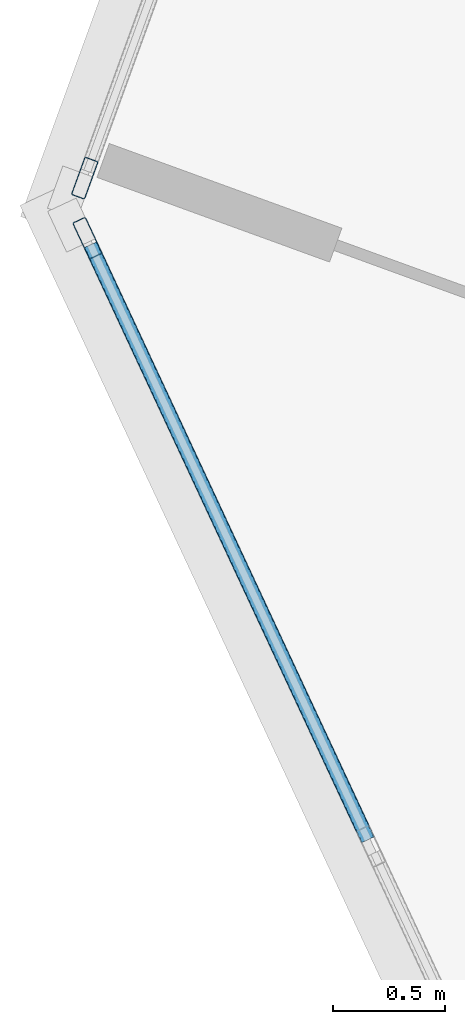
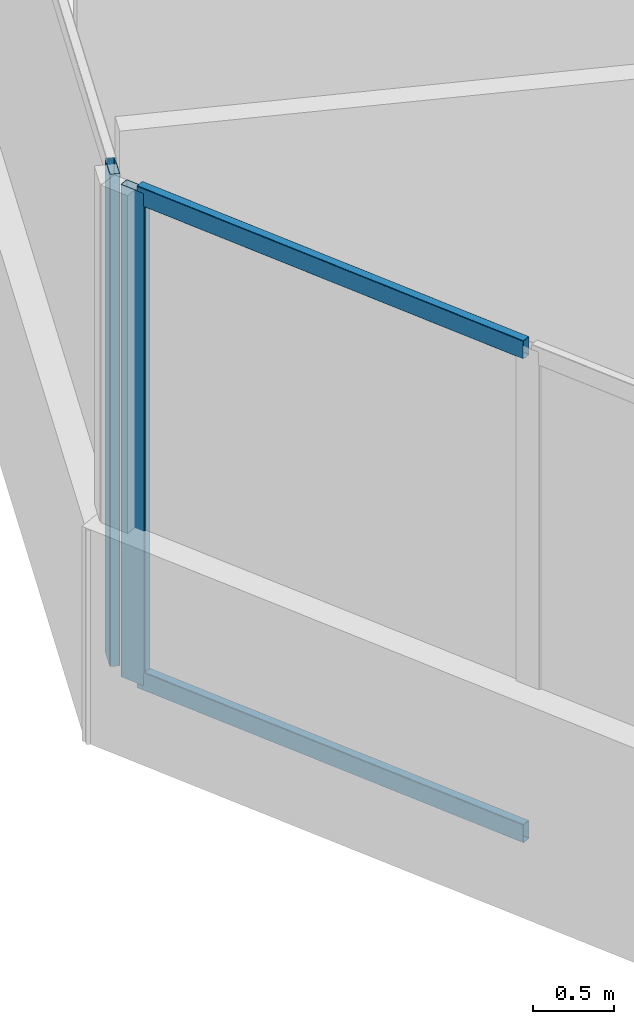
# One storey, part 3 of 21: 4 members, 2 elements without a shape of their own.
"""IFC4 building model written with IfcOpenShell, lengths in metres."""

from ifc_helpers import new_model, si_unit, direction, frame, origin, origin_2d, place, context, subcontext, project, spatial, hollow_rectangle, extrude, source, transform, mapped, material, material_profile, profile_set, type_object, element, aggregate, save


model = new_model("IFC4")

# Units and contexts
model_context = context("Model", 3, precision=1e-05, world=origin(), true_north=direction((0.0, 1.0)))
body_context = subcontext(model_context, "Body", "Model", "MODEL_VIEW")
ifc_project = project(units=[si_unit("LENGTHUNIT", "METRE"), si_unit("AREAUNIT", "SQUARE_METRE"), si_unit("VOLUMEUNIT", "CUBIC_METRE"), si_unit("PLANEANGLEUNIT", "RADIAN"), si_unit("MASSUNIT", "GRAM", prefix="KILO")], contexts=[model_context])

# Site, building, storey
site_placement = place(None, origin())
site = spatial("IfcSite", under=ifc_project, at=site_placement, CompositionType="ELEMENT")
building_placement = place(site_placement, origin())
building = spatial("IfcBuilding", under=site, at=building_placement, Name="Torre Montelarca", CompositionType="ELEMENT")
storey_placement = place(building_placement, frame((0.0, 0.0, 137.199951171875)))
storey = spatial("IfcBuildingStorey", under=building, at=storey_placement, Name="L30", CompositionType="ELEMENT", Elevation=137.199951171875)

# Curtain wall, members
ifc_material_1 = material(Name="Insulated low-E laminated glass", Category="glass")
curtain_wall_type = type_object("IfcCurtainWallType", Name="CW-SYS-Z2", PredefinedType="USERDEFINED", material=ifc_material_1)
curtain_wall_1_placement = place(storey_placement, origin())
curtain_wall_1 = element("IfcCurtainWall", 1, at=curtain_wall_1_placement, inside=storey, type_object=curtain_wall_type, Name="L30 Curtain Wall Run CW-T3-L30-E11-B1", ObjectType="UNITISED GLAZING", PredefinedType="USERDEFINED")
ifc_material_2 = material(Name="Anodised aluminium AA 6063-T6", Category="aluminium")
ifc_material_profile_1 = material_profile(ifc_material_2, hollow_rectangle(XDim=0.06494140625, YDim=0.139892578125, WallThickness=0.00390625, InnerFilletRadius=0.00390625, OuterFilletRadius=0.008056640625, at=origin_2d()), Name="ALU65X140X4", Category="aluminium")
ifc_profile_set_1 = profile_set([ifc_material_profile_1], Name="Anodised aluminium AA 6063-T6")
member_type_1 = type_object("IfcMemberType", Name="CWT-ALU140", PredefinedType="USERDEFINED", material=ifc_profile_set_1)
shared_shape_1 = source(origin(), body_context, "Body", "SweptSolid", [
    extrude(hollow_rectangle(XDim=0.06494140625, YDim=0.139892578125, WallThickness=0.00390625, InnerFilletRadius=0.00390625, OuterFilletRadius=0.008056640625, at=origin_2d()), origin(), (0.0, 0.0, 1.0), 2.918701171875),
])
member_1_placement = place(storey_placement, frame((-2.421875, 26.0517578125, 0.032470703125), z_axis=(0.422587791305, -0.90632199501, 0.0), x_axis=(0.90632199501, 0.422587791305, 0.0)))
member_1 = element("IfcMember", 2, at=member_1_placement, type_object=member_type_1, Name="CW transom 1.1", ObjectType="TRANSOM", PredefinedType="USERDEFINED", context=body_context, shape_type="MappedRepresentation", body=[
    mapped(shared_shape_1, transform((0.0, 0.0, 0.0), scale=1.0)),
])
member_2_placement = place(storey_placement, frame((-2.421875, 26.0517578125, 3.6875), z_axis=(0.422587791305, -0.90632199501, 0.0), x_axis=(0.90632199501, 0.422587791305, 0.0)))
member_2 = element("IfcMember", 3, at=member_2_placement, type_object=member_type_1, Name="CW transom 1.2", ObjectType="TRANSOM", PredefinedType="USERDEFINED", context=body_context, shape_type="MappedRepresentation", body=[
    mapped(shared_shape_1, transform((0.0, 0.0, 0.0), scale=1.0)),
])

# Curtain wall, member
curtain_wall_2_placement = place(storey_placement, origin())
curtain_wall_2 = element("IfcCurtainWall", 4, at=curtain_wall_2_placement, inside=storey, type_object=curtain_wall_type, Name="L30 Curtain Wall Run CW-T3-L30-E10-B1", ObjectType="UNITISED GLAZING", PredefinedType="USERDEFINED")
ifc_material_profile_2 = material_profile(ifc_material_2, hollow_rectangle(XDim=0.06494140625, YDim=0.179931640625, WallThickness=0.00390625, InnerFilletRadius=0.00390625, OuterFilletRadius=0.008056640625, at=origin_2d()), Name="ALU65X180X4", Category="aluminium")
ifc_profile_set_2 = profile_set([ifc_material_profile_2], Name="Anodised aluminium AA 6063-T6")
member_type_2 = type_object("IfcMemberType", Name="CWM-ALU180", PredefinedType="MULLION", material=ifc_profile_set_2)
shared_shape_2 = source(origin(), body_context, "Body", "SweptSolid", [
    extrude(hollow_rectangle(XDim=0.06494140625, YDim=0.179931640625, WallThickness=0.00390625, InnerFilletRadius=0.00390625, OuterFilletRadius=0.008056640625, at=origin_2d()), origin(), (0.0, 0.0, 1.0), 3.719970703125),
])
member_3_placement = place(storey_placement, frame((-2.447265625, 26.347900390625, 0.0), z_axis=(0.0, 0.0, 1.0), x_axis=(0.939692985234, -0.342019142012, 0.0)))
member_3 = element("IfcMember", 5, at=member_3_placement, type_object=member_type_2, Name="CW mullion 3", PredefinedType="MULLION", context=body_context, shape_type="MappedRepresentation", body=[
    mapped(shared_shape_2, transform((0.0, 0.0, 0.0), scale=1.0)),
])
aggregate(curtain_wall_2, [member_3])

# Member
member_4_placement = place(storey_placement, frame((-2.435546875, 26.0810546875, 0.0), z_axis=(0.0, 0.0, 1.0), x_axis=(0.906317349192, 0.422597755027, 0.0)))
member_4 = element("IfcMember", 6, at=member_4_placement, type_object=member_type_2, Name="CW mullion 1", PredefinedType="MULLION", context=body_context, shape_type="MappedRepresentation", body=[
    mapped(shared_shape_2, transform((0.0, 0.0, 0.0), scale=1.0)),
])

aggregate(curtain_wall_1, [member_4, member_1, member_2])

save(model, "model.ifc")
